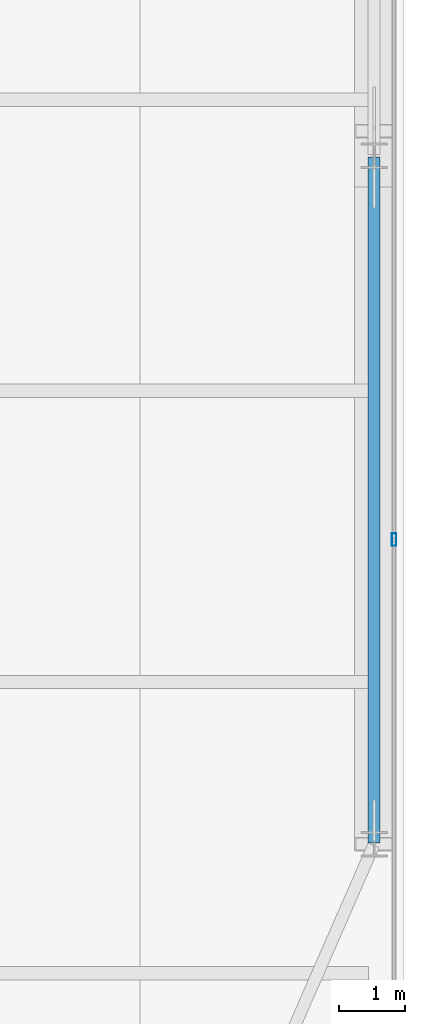
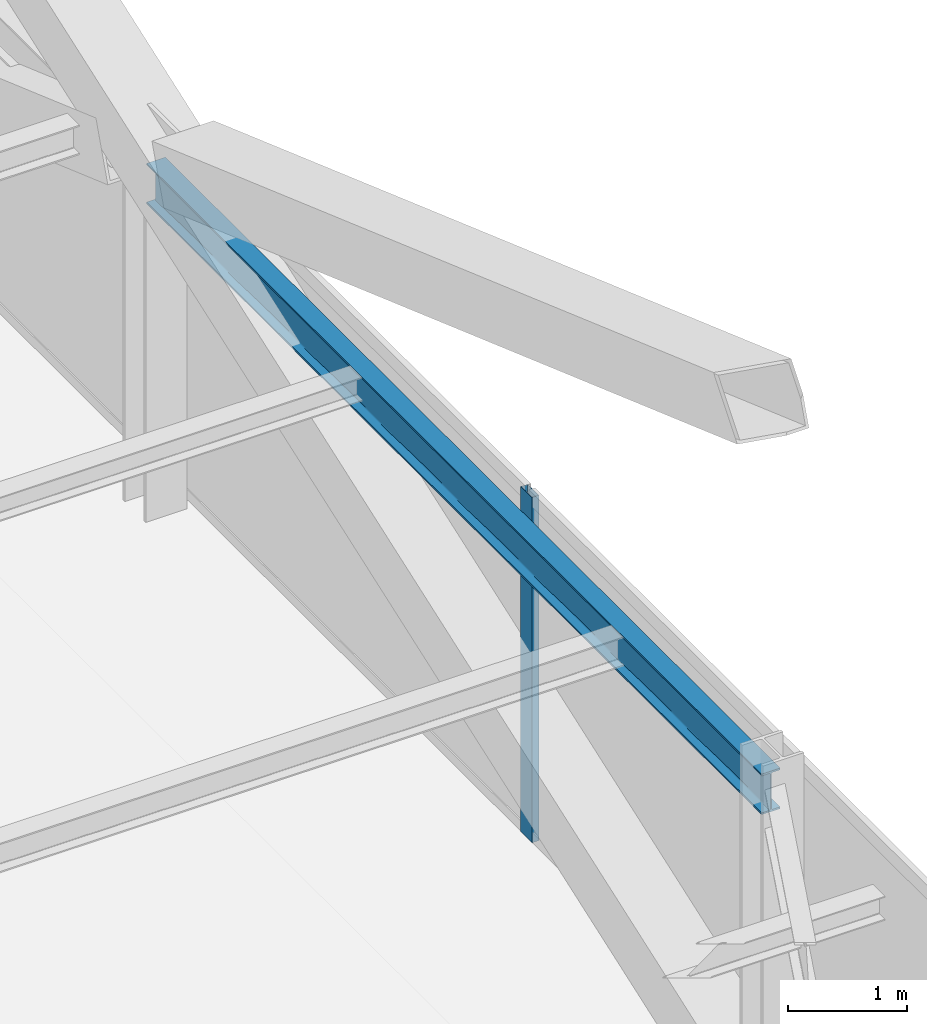
# One storey, part 18 of 35: 1 beam, 1 member, 1 element without a shape of its own.
"""IFC4 building model written with IfcOpenShell, lengths in metres."""

import ifcopenshell
import ifcopenshell.guid

model = None  # the IFC model being written
_history = None  # IfcOwnerHistory: only IFC2X3 demands one
_inside = {}  # id of a spatial element -> (the spatial element, [elements in it])
_under = {}  # id of a project, library or spatial element -> (it, [spatial elements below it])
_declared = {}  # id of a project -> (the project, [libraries it declares])
_typed = {}  # id of a type object -> (the type object, [elements of that type])
_made_of = {}  # id of a material, layer set ... -> (it, [elements and type objects made of it])


def new_model(schema):
    """Start an empty IFC model of exactly this schema.

    Asked for "IFC4X3", IfcOpenShell would pick the latest addendum, in which some entities
    have other attributes; the version numbers below select the first issue.
    IFC2X3 requires an IfcOwnerHistory on every rooted entity: one is made here for all.
    """
    global model, _history
    if schema == "IFC4X3":
        model = ifcopenshell.file(schema_version=(4, 3, 0, 0))
    else:
        model = ifcopenshell.file(schema=schema)
    _inside.clear()
    _under.clear()
    _declared.clear()
    _typed.clear()
    _made_of.clear()
    _history = None
    if model.schema == "IFC2X3":
        org = make("IfcOrganization", Name="unknown")
        user = make(
            "IfcPersonAndOrganization",
            ThePerson=make("IfcPerson", FamilyName="unknown"),
            TheOrganization=org,
        )
        app = make(
            "IfcApplication",
            ApplicationDeveloper=org,
            Version="unknown",
            ApplicationFullName="unknown",
            ApplicationIdentifier="unknown",
        )
        _history = make(
            "IfcOwnerHistory",
            OwningUser=user,
            OwningApplication=app,
            ChangeAction="ADDED",
            CreationDate=0,
        )
    return model


def make(cls, **values):
    """One entity of the class cls with the attributes given. An attribute that is None is left unset."""
    return model.create_entity(
        cls, **{name: value for name, value in values.items() if value is not None}
    )


def rooted(cls, **values):
    """An entity with a GlobalId (a new one), such as an element, a storey or a relation."""
    return make(cls, GlobalId=ifcopenshell.guid.new(), OwnerHistory=_history, **values)


def si_unit(unit_type, name, prefix=None):
    """IfcSIUnit, for example si_unit("LENGTHUNIT", "METRE", prefix="MILLI")."""
    return make("IfcSIUnit", UnitType=unit_type, Prefix=prefix, Name=name)


def assignment(units):
    """IfcUnitAssignment: the units of a project."""
    return None if units is None else make("IfcUnitAssignment", Units=units)


def point(xyz):
    """IfcCartesianPoint."""
    return None if xyz is None else make("IfcCartesianPoint", Coordinates=xyz)


def direction(xyz):
    """IfcDirection."""
    return None if xyz is None else make("IfcDirection", DirectionRatios=xyz)


def frame(location, z_axis=None, x_axis=None):
    """IfcAxis2Placement3D, a coordinate frame: its origin and axes. An axis left out is left unset."""
    return make(
        "IfcAxis2Placement3D",
        Location=point(location),
        Axis=direction(z_axis),
        RefDirection=direction(x_axis),
    )


def frame_2d(location, x_axis=None):
    """IfcAxis2Placement2D, a coordinate frame in the plane: its origin and x axis."""
    return make(
        "IfcAxis2Placement2D", Location=point(location), RefDirection=direction(x_axis)
    )


def origin():
    """The frame at (0, 0, 0) with its axes left unset."""
    return frame((0.0, 0.0, 0.0))


def origin_2d():
    """The frame at (0, 0) in the plane with its x axis left unset."""
    return frame_2d((0.0, 0.0))


def place(relative_to, where):
    """IfcLocalPlacement: puts the frame where relative to a parent placement (None: the world)."""
    return make(
        "IfcLocalPlacement", PlacementRelTo=relative_to, RelativePlacement=where
    )


def context(
    kind, dimensions, precision=None, world=None, true_north=None, identifier=None
):
    """IfcGeometricRepresentationContext, for example the 3D "Model" context."""
    return make(
        "IfcGeometricRepresentationContext",
        ContextIdentifier=identifier,
        ContextType=kind,
        CoordinateSpaceDimension=dimensions,
        Precision=precision,
        WorldCoordinateSystem=world,
        TrueNorth=true_north,
    )


def subcontext(parent, identifier, kind, view, scale=None):
    """IfcGeometricRepresentationSubContext, for example "Body" below "Model"."""
    return make(
        "IfcGeometricRepresentationSubContext",
        ContextIdentifier=identifier,
        ContextType=kind,
        ParentContext=parent,
        TargetScale=scale,
        TargetView=view,
    )


def project(units=None, contexts=None):
    """IfcProject with its units and contexts."""
    return rooted(
        "IfcProject",
        Name="project",
        RepresentationContexts=contexts,
        UnitsInContext=assignment(units),
    )


def spatial(cls, under=None, at=None, **own):
    """A site, building, storey or space (cls), placed at a placement, below another one or the project."""
    s = rooted(cls, ObjectPlacement=at, **own)
    if under is not None:
        _under.setdefault(under.id(), (under, []))[1].append(s)
    return s


def profile(cls, at=None, kind="AREA", **sizes):
    """A parametric profile (cls). Its sizes go by their IFC names, for example OverallWidth=200.0."""
    return make(cls, ProfileType=kind, Position=at, **sizes)


def hollow_rectangle(**sizes):
    """IfcRectangleHollowProfileDef."""
    return profile("IfcRectangleHollowProfileDef", **sizes)


def i_section(**sizes):
    """IfcIShapeProfileDef."""
    return profile("IfcIShapeProfileDef", **sizes)


def extrude(swept, where, along, depth):
    """IfcExtrudedAreaSolid: the profile swept, set in the frame where, extruded along a direction by depth."""
    return make(
        "IfcExtrudedAreaSolid",
        SweptArea=swept,
        Position=where,
        ExtrudedDirection=direction(along),
        Depth=depth,
    )


def shape(context_of_items, identifier, shape_type, items):
    """IfcShapeRepresentation: the items that make up one representation, for example the "Body"."""
    return make(
        "IfcShapeRepresentation",
        ContextOfItems=context_of_items,
        RepresentationIdentifier=identifier,
        RepresentationType=shape_type,
        Items=items,
    )


def source(mapping_origin, context_of_items, identifier, shape_type, items):
    """IfcRepresentationMap: a shape defined once, which mapped items show again and again."""
    return make(
        "IfcRepresentationMap",
        MappingOrigin=mapping_origin,
        MappedRepresentation=shape(context_of_items, identifier, shape_type, items),
    )


def transform(
    local_origin,
    x_axis=None,
    y_axis=None,
    z_axis=None,
    scale=None,
    scale2=None,
    scale3=None,
    uniform=True,
):
    """IfcCartesianTransformationOperator3D, or its non-uniform kind. x_axis, y_axis, z_axis: its Axis1, 2, 3."""
    if uniform:
        return make(
            "IfcCartesianTransformationOperator3D",
            Axis1=direction(x_axis),
            Axis2=direction(y_axis),
            LocalOrigin=point(local_origin),
            Scale=scale,
            Axis3=direction(z_axis),
        )
    return make(
        "IfcCartesianTransformationOperator3DnonUniform",
        Axis1=direction(x_axis),
        Axis2=direction(y_axis),
        LocalOrigin=point(local_origin),
        Scale=scale,
        Axis3=direction(z_axis),
        Scale2=scale2,
        Scale3=scale3,
    )


def mapped(mapping_source, mapping_target):
    """IfcMappedItem: shows the shape of a source again, moved by a transform."""
    return make(
        "IfcMappedItem", MappingSource=mapping_source, MappingTarget=mapping_target
    )


def material(Name=None, Category=None):
    """IfcMaterial."""
    return make("IfcMaterial", Name=Name, Category=Category)


def layer(
    of_material, thickness, ventilated=None, Name=None, Category=None, Priority=None
):
    """IfcMaterialLayer: one layer of a wall or slab, of a material (None: an air gap)."""
    return make(
        "IfcMaterialLayer",
        Material=of_material,
        LayerThickness=thickness,
        IsVentilated=ventilated,
        Name=Name,
        Category=Category,
        Priority=Priority,
    )


def layer_set(layers, Name=None):
    """IfcMaterialLayerSet."""
    return make("IfcMaterialLayerSet", MaterialLayers=layers, LayerSetName=Name)


def material_profile(
    of_material, cross_section, Name=None, Category=None, Priority=None
):
    """IfcMaterialProfile: a cross section and its material."""
    return make(
        "IfcMaterialProfile",
        Name=Name,
        Material=of_material,
        Profile=cross_section,
        Priority=Priority,
        Category=Category,
    )


def profile_set(profiles, Name=None, composite=None):
    """IfcMaterialProfileSet."""
    return make(
        "IfcMaterialProfileSet",
        Name=Name,
        MaterialProfiles=profiles,
        CompositeProfile=composite,
    )


def made_of(thing, what):
    """Note that an element or type object is made of a material, layer set ...; save() writes the relation."""
    if what is not None:
        _made_of.setdefault(what.id(), (what, []))[1].append(thing)
    return thing


def type_object(cls, material=None, **own):
    """A type object (cls), such as IfcWallType, which elements share."""
    return made_of(rooted(cls, **own), material)


def type_shapes(of_type, sources):
    """Give a type object the sources (RepresentationMaps) that its elements show as mapped items."""
    of_type.RepresentationMaps = sources


def element(
    cls,
    number,
    at=None,
    inside=None,
    cuts=None,
    type_object=None,
    material=None,
    context=None,
    identifier="Body",
    shape_type=None,
    held_by="IfcProductDefinitionShape",
    body=None,
    shapes=None,
    **own,
):
    """One element of the class cls, such as IfcWall. Its Tag is "e" and its number.

    at: its placement. inside: the storey or other place that contains it. cuts: it is an
    opening in that element (IfcRelVoidsElement). A single representation is given by context,
    identifier, shape_type and body (its items); several are given by shapes. held_by: the class
    of the entity that holds the representations. save() writes the other relations.
    """
    e = rooted(cls, Tag="e%d" % number, ObjectPlacement=at, **own)
    if body is not None:
        shapes = [shape(context, identifier, shape_type, body)]
    if shapes is not None:
        e.Representation = make(held_by, Representations=shapes)
    if inside is not None:
        _inside.setdefault(inside.id(), (inside, []))[1].append(e)
    if cuts is not None:
        rooted(
            "IfcRelVoidsElement", RelatingBuildingElement=cuts, RelatedOpeningElement=e
        )
    if type_object is not None:
        _typed.setdefault(type_object.id(), (type_object, []))[1].append(e)
    return made_of(e, material)


def aggregate(whole, parts):
    """IfcRelAggregates: a whole, such as a stair, and the parts it consists of."""
    return rooted("IfcRelAggregates", RelatingObject=whole, RelatedObjects=parts)


def save(model, path):
    """Write the relations noted so far, then the file.

    IfcRelAggregates (storeys below a building ...), IfcRelContainedInSpatialStructure (elements
    in a storey), IfcRelDefinesByType, IfcRelAssociatesMaterial and IfcRelDeclares: one each for
    every whole, place, type object, material and project.
    """
    for whole, parts in _under.values():
        aggregate(whole, parts)
    for where, things in _inside.values():
        rooted(
            "IfcRelContainedInSpatialStructure",
            RelatedElements=things,
            RelatingStructure=where,
        )
    for kind, things in _typed.values():
        rooted("IfcRelDefinesByType", RelatedObjects=things, RelatingType=kind)
    for what, things in _made_of.values():
        rooted("IfcRelAssociatesMaterial", RelatedObjects=things, RelatingMaterial=what)
    for by, libraries in _declared.values():
        rooted("IfcRelDeclares", RelatingContext=by, RelatedDefinitions=libraries)
    model.write(path)


model = new_model("IFC4")

# Units and contexts
model_context = context("Model", 3, precision=1e-05, world=origin(), true_north=direction((0.0, 1.0)))
body_context = subcontext(model_context, "Body", "Model", "MODEL_VIEW")
ifc_project = project(units=[si_unit("LENGTHUNIT", "METRE"), si_unit("AREAUNIT", "SQUARE_METRE"), si_unit("VOLUMEUNIT", "CUBIC_METRE"), si_unit("PLANEANGLEUNIT", "RADIAN"), si_unit("MASSUNIT", "GRAM", prefix="KILO")], contexts=[model_context])

# Site, building, storey
site_placement = place(None, origin())
site = spatial("IfcSite", under=ifc_project, at=site_placement, CompositionType="ELEMENT")
building_placement = place(site_placement, origin())
building = spatial("IfcBuilding", under=site, at=building_placement, Name="Varnel Quay Broadcast Tower", CompositionType="ELEMENT")
storey_placement = place(building_placement, frame((0.0, 0.0, 87.0)))
storey = spatial("IfcBuildingStorey", under=building, at=storey_placement, Name="L20", CompositionType="ELEMENT", Elevation=87.0)

# Beam
ifc_material_1 = material(Name="Structural Steel CSA G40.21 350W", Category="steel")
ifc_material_profile_1 = material_profile(ifc_material_1, i_section(OverallWidth=0.180908203125, OverallDepth=0.4169921875, WebThickness=0.010986328125, FlangeThickness=0.018310546875, FilletRadius=0.011962890625, at=origin_2d()), Name="W410X85")
ifc_profile_set_1 = profile_set([ifc_material_profile_1], Name="Structural Steel CSA G40.21 350W")
beam_type = type_object("IfcBeamType", Name="Beam_W410X85", PredefinedType="SPANDREL", material=ifc_profile_set_1)
shared_shape_1 = source(origin(), body_context, "Body", "SweptSolid", [
    extrude(i_section(OverallWidth=0.180908203125, OverallDepth=0.4169921875, WebThickness=0.010986328125, FlangeThickness=0.018310546875, FilletRadius=0.011962890625, at=origin_2d()), origin(), (0.0, 0.0, 1.0), 10.35986328125),
])
type_shapes(beam_type, [shared_shape_1])
beam_placement = place(storey_placement, frame((63.050048828125, 15.02001953125, 3.341552734375), z_axis=(0.0, 1.0, 0.0), x_axis=(-1.0, 0.0, 0.0)))
element("IfcBeam", 1, at=beam_placement, inside=storey, type_object=beam_type, Name="L20 East Spandrel TC-E1-TC-E2", PredefinedType="SPANDREL", context=body_context, shape_type="MappedRepresentation", body=[
    mapped(shared_shape_1, transform((0.0, 0.0, 0.0), x_axis=(1.0, 0.0, 0.0), y_axis=(0.0, 1.0, 0.0), z_axis=(0.0, 0.0, 1.0), scale=1.0)),
])

# Curtain wall, member
ifc_material_2 = material(Name="Anodised Bronze Aluminium 6063-T6", Category="aluminium")
ifc_layer = layer(ifc_material_2, 0.18994140625, Name="Anodised Bronze Aluminium 6063-T6")
ifc_layer_set = layer_set([ifc_layer], Name="Anodised Bronze Aluminium 6063-T6")
curtain_wall_type = type_object("IfcCurtainWallType", Name="CW_LowerTower", PredefinedType="NOTDEFINED", material=ifc_layer_set)
curtain_wall_placement = place(storey_placement, origin())
curtain_wall = element("IfcCurtainWall", 2, at=curtain_wall_placement, inside=storey, type_object=curtain_wall_type, Name="L20 East Unitised Curtain Wall", PredefinedType="NOTDEFINED")
ifc_material_profile_2 = material_profile(ifc_material_2, hollow_rectangle(XDim=0.070068359375, YDim=0.18994140625, WallThickness=0.00390625, at=origin_2d()), Name="ALU70X190X4")
ifc_profile_set_2 = profile_set([ifc_material_profile_2], Name="Anodised Bronze Aluminium 6063-T6")
member_type = type_object("IfcMemberType", Name="Mull_CWS-02", PredefinedType="MULLION", material=ifc_profile_set_2)
shared_shape_2 = source(origin(), body_context, "Body", "SweptSolid", [
    extrude(hollow_rectangle(XDim=0.070068359375, YDim=0.18994140625, WallThickness=0.00390625, at=origin_2d()), origin(), (0.0, 0.0, 1.0), 3.550048828125),
])
type_shapes(member_type, [shared_shape_2])
member_placement = place(storey_placement, frame((63.35009765625, 19.60009765625, 0.0), z_axis=(0.0, 0.0, 1.0), x_axis=(-1.0, 0.0, 0.0)))
member = element("IfcMember", 3, at=member_placement, type_object=member_type, Name="CWS-02 mullion 2", PredefinedType="MULLION", context=body_context, shape_type="MappedRepresentation", body=[
    mapped(shared_shape_2, transform((0.0, 0.0, 0.0), x_axis=(1.0, 0.0, 0.0), y_axis=(0.0, 1.0, 0.0), z_axis=(0.0, 0.0, 1.0), scale=1.0)),
])
aggregate(curtain_wall, [member])

save(model, "model.ifc")
